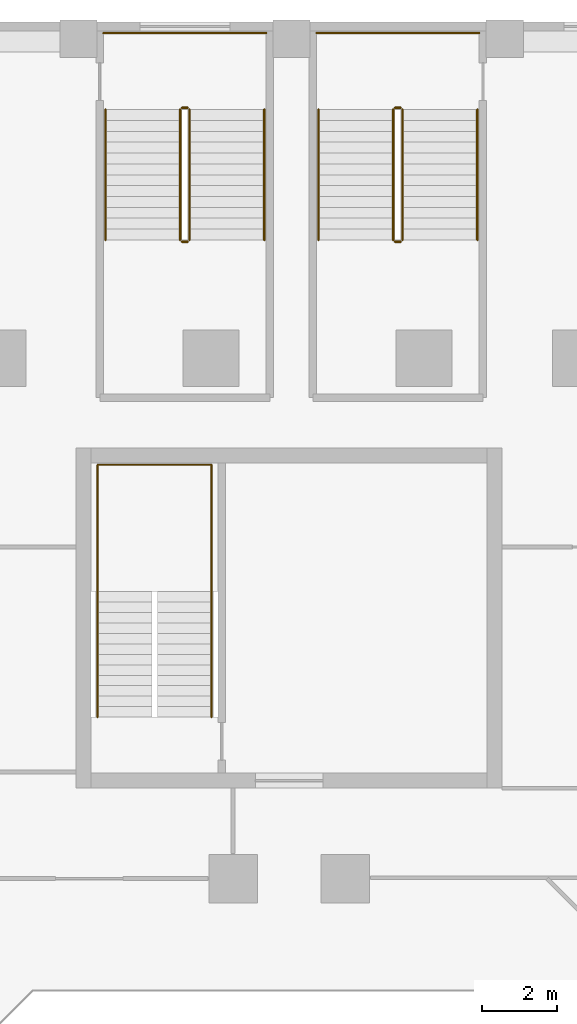
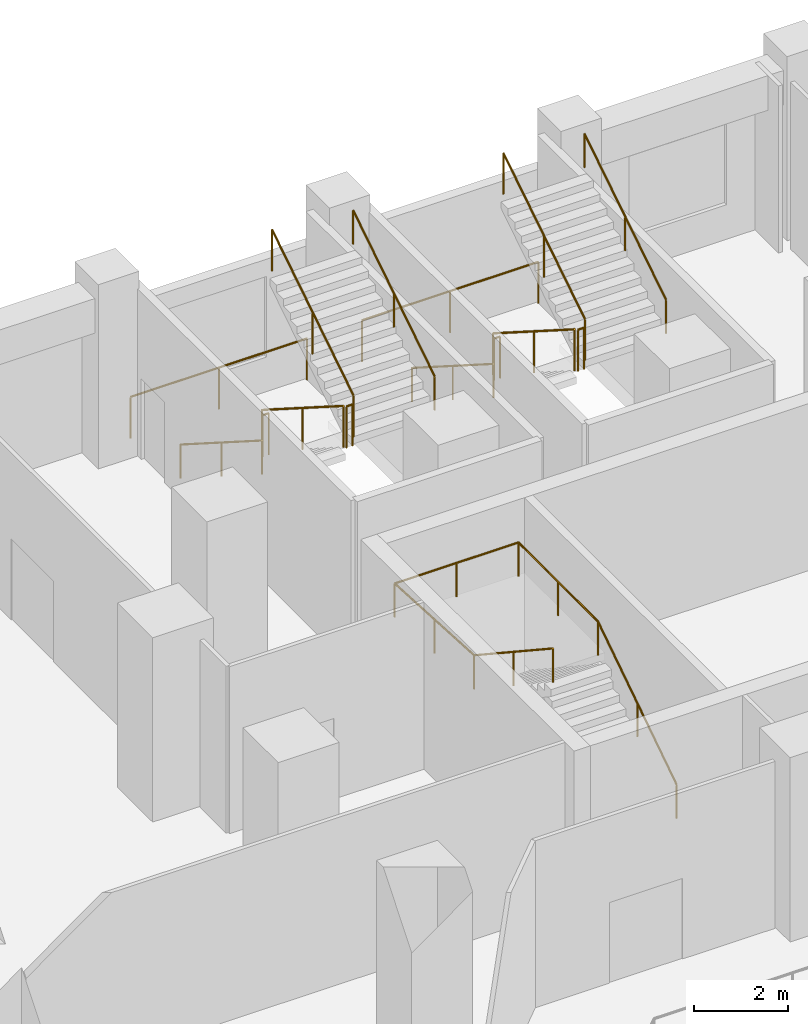
# One storey, part 16 of 16: 15 railings.
"""IFC4 building model written with IfcOpenShell, lengths in metres."""

from ifc_helpers import new_model, si_unit, direction, frame, origin, origin_2d, place, context, subcontext, project, spatial, circle, extrude, material, type_object, element, save


model = new_model("IFC4")

# Units and contexts
model_context = context("Model", 3, precision=1e-05, world=origin(), true_north=direction((0.0, 1.0)))
body_context = subcontext(model_context, "Body", "Model", "MODEL_VIEW")
ifc_project = project(units=[si_unit("LENGTHUNIT", "METRE"), si_unit("AREAUNIT", "SQUARE_METRE"), si_unit("VOLUMEUNIT", "CUBIC_METRE"), si_unit("PLANEANGLEUNIT", "RADIAN"), si_unit("MASSUNIT", "GRAM", prefix="KILO")], contexts=[model_context])

# Site, building, storey
site_placement = place(None, origin())
site = spatial("IfcSite", under=ifc_project, at=site_placement, CompositionType="ELEMENT")
building_placement = place(site_placement, origin())
building = spatial("IfcBuilding", under=site, at=building_placement, Name="Meshkara Civic Tower", CompositionType="ELEMENT")
storey_placement = place(building_placement, frame((0.0, 0.0, 18.60009765625)))
storey = spatial("IfcBuildingStorey", under=building, at=storey_placement, Name="L03", CompositionType="ELEMENT", Elevation=18.60009765625)

# Railings
ifc_material_1 = material(Name="Steel guard", Category="steel")
railing_type_1 = type_object("IfcRailingType", Name="Podium stair guard 1100", PredefinedType="GUARDRAIL", material=ifc_material_1)
railing_1_placement = place(storey_placement, frame((8.485107421875, 89.419921875, 0.1845703125)))
element("IfcRailing", 1, at=railing_1_placement, inside=storey, type_object=railing_type_1, Name="L03 PS1 stair guard 1", PredefinedType="GUARDRAIL", context=body_context, shape_type="SweptSolid", body=[
    extrude(circle(Radius=0.02392578125, at=origin_2d()), frame((0.0, 0.0, 1.076171875), z_axis=(0.0, -0.843573748531, 0.537013343214), x_axis=(1.0, 0.0, 0.0)), (0.0, 0.0, 1.0), 4.125244140625),
    extrude(circle(Radius=0.02099609375, at=origin_2d()), origin(), (0.0, 0.0, 1.0), 1.052001953125),
    extrude(circle(Radius=0.02099609375, at=origin_2d()), frame((0.0, -1.739990234375, 1.107666015625)), (0.0, 0.0, 1.0), 1.052001953125),
    extrude(circle(Radius=0.02099609375, at=origin_2d()), frame((0.0, -3.47998046875, 2.21533203125)), (0.0, 0.0, 1.0), 1.052001953125),
])
railing_2_placement = place(storey_placement, frame((8.534912109375, 85.889892578125, 2.39990234375)))
element("IfcRailing", 2, at=railing_2_placement, inside=storey, type_object=railing_type_1, Name="L03 PS1 stair guard 2", PredefinedType="GUARDRAIL", context=body_context, shape_type="SweptSolid", body=[
    extrude(circle(Radius=0.02392578125, at=origin_2d()), frame((0.0, 0.0, 1.076171875), z_axis=(1.0, 0.0, 0.0), x_axis=(0.0, 1.0, 0.0)), (0.0, 0.0, 1.0), 0.150146484375),
    extrude(circle(Radius=0.02099609375, at=origin_2d()), origin(), (0.0, 0.0, 1.0), 1.052001953125),
    extrude(circle(Radius=0.02099609375, at=origin_2d()), frame((0.150146484375, 0.0, 0.0)), (0.0, 0.0, 1.0), 1.052001953125),
])
railing_3_placement = place(storey_placement, frame((8.735107421875, 85.93994140625, 2.58447265625)))
element("IfcRailing", 3, at=railing_3_placement, inside=storey, type_object=railing_type_1, Name="L03 PS1 stair guard 3", PredefinedType="GUARDRAIL", context=body_context, shape_type="SweptSolid", body=[
    extrude(circle(Radius=0.02392578125, at=origin_2d()), frame((0.0, 0.0, 1.076171875), z_axis=(0.0, 0.843573748531, 0.537013343214), x_axis=(-1.0, 0.0, 0.0)), (0.0, 0.0, 1.0), 4.125244140625),
    extrude(circle(Radius=0.02099609375, at=origin_2d()), origin(), (0.0, 0.0, 1.0), 1.052001953125),
    extrude(circle(Radius=0.02099609375, at=origin_2d()), frame((0.0, 1.739990234375, 1.107666015625)), (0.0, 0.0, 1.0), 1.052001953125),
    extrude(circle(Radius=0.02099609375, at=origin_2d()), frame((0.0, 3.47998046875, 2.21533203125)), (0.0, 0.0, 1.0), 1.052001953125),
])
railing_4_placement = place(storey_placement, frame((8.534912109375, 89.469970703125, 0.0)))
element("IfcRailing", 4, at=railing_4_placement, inside=storey, type_object=railing_type_1, Name="L03 PS1 stair guard 4", PredefinedType="GUARDRAIL", context=body_context, shape_type="SweptSolid", body=[
    extrude(circle(Radius=0.02392578125, at=origin_2d()), frame((0.0, 0.0, 1.076171875), z_axis=(1.0, 0.0, 0.0), x_axis=(0.0, 1.0, 0.0)), (0.0, 0.0, 1.0), 0.150146484375),
    extrude(circle(Radius=0.02099609375, at=origin_2d()), origin(), (0.0, 0.0, 1.0), 1.052001953125),
    extrude(circle(Radius=0.02099609375, at=origin_2d()), frame((0.150146484375, 0.0, 0.0)), (0.0, 0.0, 1.0), 1.052001953125),
])
railing_5_placement = place(storey_placement, frame((6.43505859375, 91.469970703125, 0.0)))
element("IfcRailing", 5, at=railing_5_placement, inside=storey, type_object=railing_type_1, Name="L03 PS1 stair guard 5", PredefinedType="GUARDRAIL", context=body_context, shape_type="SweptSolid", body=[
    extrude(circle(Radius=0.02392578125, at=origin_2d()), frame((0.0, 0.0, 1.076171875), z_axis=(1.0, 0.0, 0.0), x_axis=(0.0, 1.0, 0.0)), (0.0, 0.0, 1.0), 4.349853515625),
    extrude(circle(Radius=0.02099609375, at=origin_2d()), origin(), (0.0, 0.0, 1.0), 1.052001953125),
    extrude(circle(Radius=0.02099609375, at=origin_2d()), frame((2.1748046875, 0.0, 0.0)), (0.0, 0.0, 1.0), 1.052001953125),
    extrude(circle(Radius=0.02099609375, at=origin_2d()), frame((4.349853515625, 0.0, 0.0)), (0.0, 0.0, 1.0), 1.052001953125),
])
railing_6_placement = place(storey_placement, frame((14.18505859375, 89.419921875, 0.1845703125)))
element("IfcRailing", 6, at=railing_6_placement, inside=storey, type_object=railing_type_1, Name="L03 PS2 stair guard 1", PredefinedType="GUARDRAIL", context=body_context, shape_type="SweptSolid", body=[
    extrude(circle(Radius=0.02392578125, at=origin_2d()), frame((0.0, 0.0, 1.076171875), z_axis=(0.0, -0.843573748531, 0.537013343214), x_axis=(1.0, 0.0, 0.0)), (0.0, 0.0, 1.0), 4.125244140625),
    extrude(circle(Radius=0.02099609375, at=origin_2d()), origin(), (0.0, 0.0, 1.0), 1.052001953125),
    extrude(circle(Radius=0.02099609375, at=origin_2d()), frame((0.0, -1.739990234375, 1.107666015625)), (0.0, 0.0, 1.0), 1.052001953125),
    extrude(circle(Radius=0.02099609375, at=origin_2d()), frame((0.0, -3.47998046875, 2.21533203125)), (0.0, 0.0, 1.0), 1.052001953125),
])
railing_7_placement = place(storey_placement, frame((14.235107421875, 85.889892578125, 2.39990234375)))
element("IfcRailing", 7, at=railing_7_placement, inside=storey, type_object=railing_type_1, Name="L03 PS2 stair guard 2", PredefinedType="GUARDRAIL", context=body_context, shape_type="SweptSolid", body=[
    extrude(circle(Radius=0.02392578125, at=origin_2d()), frame((0.0, 0.0, 1.076171875), z_axis=(1.0, 0.0, 0.0), x_axis=(0.0, 1.0, 0.0)), (0.0, 0.0, 1.0), 0.14990234375),
    extrude(circle(Radius=0.02099609375, at=origin_2d()), origin(), (0.0, 0.0, 1.0), 1.052001953125),
    extrude(circle(Radius=0.02099609375, at=origin_2d()), frame((0.14990234375, 0.0, 0.0)), (0.0, 0.0, 1.0), 1.052001953125),
])
railing_8_placement = place(storey_placement, frame((14.43505859375, 85.93994140625, 2.58447265625)))
element("IfcRailing", 8, at=railing_8_placement, inside=storey, type_object=railing_type_1, Name="L03 PS2 stair guard 3", PredefinedType="GUARDRAIL", context=body_context, shape_type="SweptSolid", body=[
    extrude(circle(Radius=0.02392578125, at=origin_2d()), frame((0.0, 0.0, 1.076171875), z_axis=(0.0, 0.843573748531, 0.537013343214), x_axis=(-1.0, 0.0, 0.0)), (0.0, 0.0, 1.0), 4.125244140625),
    extrude(circle(Radius=0.02099609375, at=origin_2d()), origin(), (0.0, 0.0, 1.0), 1.052001953125),
    extrude(circle(Radius=0.02099609375, at=origin_2d()), frame((0.0, 1.739990234375, 1.107666015625)), (0.0, 0.0, 1.0), 1.052001953125),
    extrude(circle(Radius=0.02099609375, at=origin_2d()), frame((0.0, 3.47998046875, 2.21533203125)), (0.0, 0.0, 1.0), 1.052001953125),
])
railing_9_placement = place(storey_placement, frame((14.235107421875, 89.469970703125, 0.0)))
element("IfcRailing", 9, at=railing_9_placement, inside=storey, type_object=railing_type_1, Name="L03 PS2 stair guard 4", PredefinedType="GUARDRAIL", context=body_context, shape_type="SweptSolid", body=[
    extrude(circle(Radius=0.02392578125, at=origin_2d()), frame((0.0, 0.0, 1.076171875), z_axis=(1.0, 0.0, 0.0), x_axis=(0.0, 1.0, 0.0)), (0.0, 0.0, 1.0), 0.14990234375),
    extrude(circle(Radius=0.02099609375, at=origin_2d()), origin(), (0.0, 0.0, 1.0), 1.052001953125),
    extrude(circle(Radius=0.02099609375, at=origin_2d()), frame((0.14990234375, 0.0, 0.0)), (0.0, 0.0, 1.0), 1.052001953125),
])
railing_10_placement = place(storey_placement, frame((12.135009765625, 91.469970703125, 0.0)))
element("IfcRailing", 10, at=railing_10_placement, inside=storey, type_object=railing_type_1, Name="L03 PS2 stair guard 5", PredefinedType="GUARDRAIL", context=body_context, shape_type="SweptSolid", body=[
    extrude(circle(Radius=0.02392578125, at=origin_2d()), frame((0.0, 0.0, 1.076171875), z_axis=(1.0, 0.0, 0.0), x_axis=(0.0, 1.0, 0.0)), (0.0, 0.0, 1.0), 4.35009765625),
    extrude(circle(Radius=0.02099609375, at=origin_2d()), origin(), (0.0, 0.0, 1.0), 1.052001953125),
    extrude(circle(Radius=0.02099609375, at=origin_2d()), frame((2.175048828125, 0.0, 0.0)), (0.0, 0.0, 1.0), 1.052001953125),
    extrude(circle(Radius=0.02099609375, at=origin_2d()), frame((4.35009765625, 0.0, 0.0)), (0.0, 0.0, 1.0), 1.052001953125),
])
ifc_material_2 = material(Name="Steel handrail", Category="steel")
railing_type_2 = type_object("IfcRailingType", Name="Podium stair handrail 900", PredefinedType="HANDRAIL", material=ifc_material_2)
railing_11_placement = place(storey_placement, frame((6.485107421875, 89.419921875, 0.1845703125)))
element("IfcRailing", 11, at=railing_11_placement, inside=storey, type_object=railing_type_2, Name="L03 PS1 stair handrail 1", PredefinedType="HANDRAIL", context=body_context, shape_type="SweptSolid", body=[
    extrude(circle(Radius=0.02392578125, at=origin_2d()), frame((0.0, 0.0, 0.8759765625), z_axis=(0.0, -0.843573748531, 0.537013343214), x_axis=(1.0, 0.0, 0.0)), (0.0, 0.0, 1.0), 4.125244140625),
    extrude(circle(Radius=0.02099609375, at=origin_2d()), origin(), (0.0, 0.0, 1.0), 0.851806640625),
    extrude(circle(Radius=0.02099609375, at=origin_2d()), frame((0.0, -1.739990234375, 1.107666015625)), (0.0, 0.0, 1.0), 0.851806640625),
    extrude(circle(Radius=0.02099609375, at=origin_2d()), frame((0.0, -3.47998046875, 2.21533203125)), (0.0, 0.0, 1.0), 0.851806640625),
])
railing_12_placement = place(storey_placement, frame((10.735107421875, 85.93994140625, 2.58447265625)))
element("IfcRailing", 12, at=railing_12_placement, inside=storey, type_object=railing_type_2, Name="L03 PS1 stair handrail 2", PredefinedType="HANDRAIL", context=body_context, shape_type="SweptSolid", body=[
    extrude(circle(Radius=0.02392578125, at=origin_2d()), frame((0.0, 0.0, 0.8759765625), z_axis=(0.0, 0.843573748531, 0.537013343214), x_axis=(-1.0, 0.0, 0.0)), (0.0, 0.0, 1.0), 4.125244140625),
    extrude(circle(Radius=0.02099609375, at=origin_2d()), origin(), (0.0, 0.0, 1.0), 0.851806640625),
    extrude(circle(Radius=0.02099609375, at=origin_2d()), frame((0.0, 1.739990234375, 1.107666015625)), (0.0, 0.0, 1.0), 0.851806640625),
    extrude(circle(Radius=0.02099609375, at=origin_2d()), frame((0.0, 3.47998046875, 2.21533203125)), (0.0, 0.0, 1.0), 0.851806640625),
])
railing_13_placement = place(storey_placement, frame((12.18505859375, 89.419921875, 0.1845703125)))
element("IfcRailing", 13, at=railing_13_placement, inside=storey, type_object=railing_type_2, Name="L03 PS2 stair handrail 1", PredefinedType="HANDRAIL", context=body_context, shape_type="SweptSolid", body=[
    extrude(circle(Radius=0.02392578125, at=origin_2d()), frame((0.0, 0.0, 0.8759765625), z_axis=(0.0, -0.843573748531, 0.537013343214), x_axis=(1.0, 0.0, 0.0)), (0.0, 0.0, 1.0), 4.125244140625),
    extrude(circle(Radius=0.02099609375, at=origin_2d()), origin(), (0.0, 0.0, 1.0), 0.851806640625),
    extrude(circle(Radius=0.02099609375, at=origin_2d()), frame((0.0, -1.739990234375, 1.107666015625)), (0.0, 0.0, 1.0), 0.851806640625),
    extrude(circle(Radius=0.02099609375, at=origin_2d()), frame((0.0, -3.47998046875, 2.21533203125)), (0.0, 0.0, 1.0), 0.851806640625),
])
railing_14_placement = place(storey_placement, frame((16.43505859375, 85.93994140625, 2.58447265625)))
element("IfcRailing", 14, at=railing_14_placement, inside=storey, type_object=railing_type_2, Name="L03 PS2 stair handrail 2", PredefinedType="HANDRAIL", context=body_context, shape_type="SweptSolid", body=[
    extrude(circle(Radius=0.02392578125, at=origin_2d()), frame((0.0, 0.0, 0.8759765625), z_axis=(0.0, 0.843573748531, 0.537013343214), x_axis=(-1.0, 0.0, 0.0)), (0.0, 0.0, 1.0), 4.125244140625),
    extrude(circle(Radius=0.02099609375, at=origin_2d()), origin(), (0.0, 0.0, 1.0), 0.851806640625),
    extrude(circle(Radius=0.02099609375, at=origin_2d()), frame((0.0, 1.739990234375, 1.107666015625)), (0.0, 0.0, 1.0), 0.851806640625),
    extrude(circle(Radius=0.02099609375, at=origin_2d()), frame((0.0, 3.47998046875, 2.21533203125)), (0.0, 0.0, 1.0), 0.851806640625),
])
ifc_material_3 = material(Name="Steel handrail", Category="steel")
railing_type_3 = type_object("IfcRailingType", Name="Stair handrail 900", PredefinedType="HANDRAIL", material=ifc_material_3)
railing_15_placement = place(storey_placement, frame((9.324951171875, 73.169921875, 0.1845703125)))
element("IfcRailing", 15, at=railing_15_placement, inside=storey, type_object=railing_type_3, Name="L03 ESA1 stair handrail 1", PredefinedType="HANDRAIL", context=body_context, shape_type="SweptSolid", body=[
    extrude(circle(Radius=0.02392578125, at=origin_2d()), frame((0.0, 0.0, 0.8759765625), z_axis=(0.0, 0.834876476806, 0.550437342915), x_axis=(-1.0, 0.0, 0.0)), (0.0, 0.0, 1.0), 4.024658203125),
    extrude(circle(Radius=0.02392578125, at=origin_2d()), frame((0.0, 3.360107421875, 3.09130859375), z_axis=(0.0, 1.0, 0.0), x_axis=(-1.0, 0.0, 0.0)), (0.0, 0.0, 1.0), 3.389892578125),
    extrude(circle(Radius=0.02392578125, at=origin_2d()), frame((0.0, 6.75, 3.09130859375), z_axis=(-1.0, 0.0, 0.0), x_axis=(0.0, -1.0, 0.0)), (0.0, 0.0, 1.0), 3.050048828125),
    extrude(circle(Radius=0.02392578125, at=origin_2d()), frame((-3.050048828125, 6.75, 3.09130859375), z_axis=(0.0, -0.998521036226, 0.054366719725), x_axis=(1.0, 0.0, 0.0)), (0.0, 0.0, 1.0), 3.39501953125),
    extrude(circle(Radius=0.02392578125, at=origin_2d()), frame((-3.050048828125, 3.360107421875, 3.27587890625), z_axis=(0.0, -0.834876476806, 0.550437342915), x_axis=(1.0, 0.0, 0.0)), (0.0, 0.0, 1.0), 4.024658203125),
    extrude(circle(Radius=0.02099609375, at=origin_2d()), origin(), (0.0, 0.0, 1.0), 0.851806640625),
    extrude(circle(Radius=0.02099609375, at=origin_2d()), frame((0.0, 1.68017578125, 1.107666015625)), (0.0, 0.0, 1.0), 0.851806640625),
    extrude(circle(Radius=0.02099609375, at=origin_2d()), frame((0.0, 3.360107421875, 2.21533203125)), (0.0, 0.0, 1.0), 0.851806640625),
    extrude(circle(Radius=0.02099609375, at=origin_2d()), frame((0.0, 5.05517578125, 2.21533203125)), (0.0, 0.0, 1.0), 0.851806640625),
    extrude(circle(Radius=0.02099609375, at=origin_2d()), frame((0.0, 6.75, 2.21533203125)), (0.0, 0.0, 1.0), 0.851806640625),
    extrude(circle(Radius=0.02099609375, at=origin_2d()), frame((-1.52490234375, 6.75, 2.21533203125)), (0.0, 0.0, 1.0), 0.851806640625),
    extrude(circle(Radius=0.02099609375, at=origin_2d()), frame((-3.050048828125, 6.75, 2.21533203125)), (0.0, 0.0, 1.0), 0.851806640625),
    extrude(circle(Radius=0.02099609375, at=origin_2d()), frame((-3.050048828125, 5.05517578125, 2.3076171875)), (0.0, 0.0, 1.0), 0.851806640625),
    extrude(circle(Radius=0.02099609375, at=origin_2d()), frame((-3.050048828125, 3.360107421875, 2.39990234375)), (0.0, 0.0, 1.0), 0.851806640625),
    extrude(circle(Radius=0.02099609375, at=origin_2d()), frame((-3.050048828125, 1.68017578125, 3.507568359375)), (0.0, 0.0, 1.0), 0.851806640625),
    extrude(circle(Radius=0.02099609375, at=origin_2d()), frame((-3.050048828125, 0.0, 4.615234375)), (0.0, 0.0, 1.0), 0.851806640625),
])

save(model, "model.ifc")
